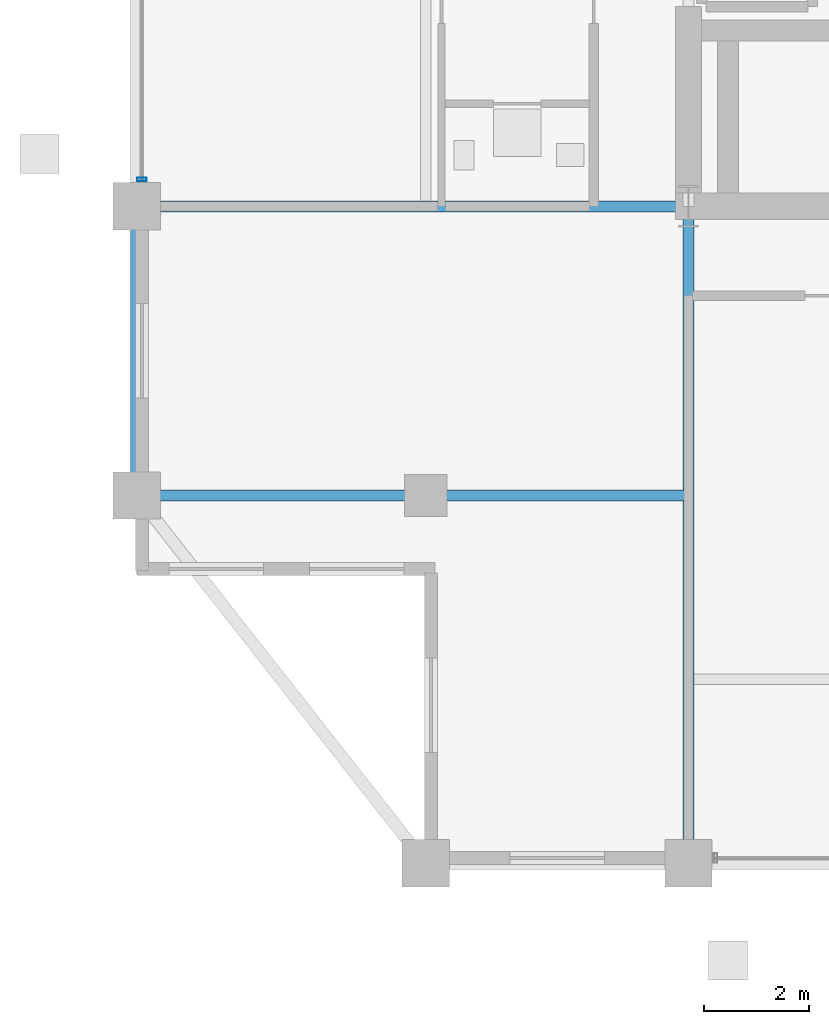
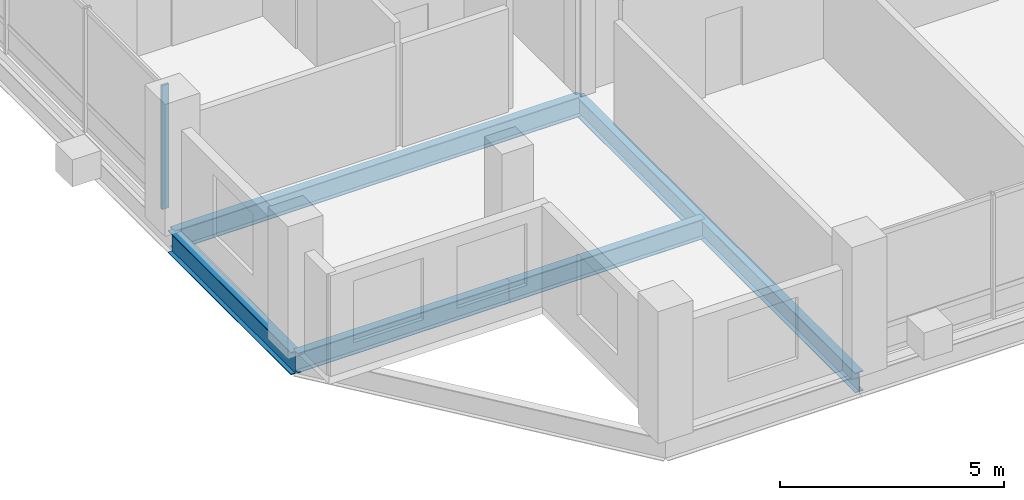
# One storey, part 3 of 21: 5 beams, 1 member, 1 element without a shape of its own.
"""IFC4 building model written with IfcOpenShell, lengths in metres."""

from ifc_helpers import new_model, si_unit, direction, frame, origin, origin_2d, place, context, subcontext, project, spatial, hollow_rectangle, i_section, extrude, material, layer, layer_set, material_profile, profile_set, type_object, element, aggregate, save


model = new_model("IFC4")

# Units and contexts
model_context = context("Model", 3, precision=1e-05, world=origin(), true_north=direction((0.0, 1.0)))
body_context = subcontext(model_context, "Body", "Model", "MODEL_VIEW")
ifc_project = project(units=[si_unit("LENGTHUNIT", "METRE"), si_unit("AREAUNIT", "SQUARE_METRE"), si_unit("VOLUMEUNIT", "CUBIC_METRE"), si_unit("PLANEANGLEUNIT", "RADIAN"), si_unit("MASSUNIT", "GRAM", prefix="KILO")], contexts=[model_context])

# Site, building, storey
site_placement = place(None, origin())
site = spatial("IfcSite", under=ifc_project, at=site_placement, CompositionType="ELEMENT")
building_placement = place(site_placement, origin())
building = spatial("IfcBuilding", under=site, at=building_placement, Name="Barlavira Tower and Art Museum", CompositionType="ELEMENT")
storey_placement = place(building_placement, frame((0.0, 0.0, 254.699951171875)))
storey = spatial("IfcBuildingStorey", under=building, at=storey_placement, Name="L66", CompositionType="ELEMENT", Elevation=254.699951171875)

# Curtain wall, member
ifc_material_1 = material(Name="Low-iron coastal laminated glass", Category="glass")
ifc_layer = layer(ifc_material_1, 0.2099609375, Name="Low-iron coastal laminated glass")
ifc_layer_set = layer_set([ifc_layer], Name="Low-iron coastal laminated glass")
curtain_wall_type = type_object("IfcCurtainWallType", Name="Pale-Metal Unitised Curtain Wall Zone 4", PredefinedType="NOTDEFINED", material=ifc_layer_set)
curtain_wall_placement = place(storey_placement, origin())
curtain_wall = element("IfcCurtainWall", 1, at=curtain_wall_placement, inside=storey, type_object=curtain_wall_type, Name="L66 Curtain Wall CW4-L66-W-B3", PredefinedType="NOTDEFINED")
ifc_material_2 = material(Name="Pale anodised aluminium", Category="aluminium")
ifc_material_profile_1 = material_profile(ifc_material_2, hollow_rectangle(XDim=0.06494140625, YDim=0.179931640625, WallThickness=0.00390625, at=origin_2d()), Name="ALU-MULL 65x180x4")
ifc_profile_set_1 = profile_set([ifc_material_profile_1], Name="Pale anodised aluminium")
member_type = type_object("IfcMemberType", Name="Curtain Wall Pale-Metal Mullion 65x180", PredefinedType="MULLION", material=ifc_profile_set_1)
member_placement = place(storey_placement, frame((-16.89990234375, -6.985107421875, 0.0), z_axis=(0.0, 0.0, 1.0), x_axis=(0.0, -1.0, 0.0)))
member = element("IfcMember", 2, at=member_placement, type_object=member_type, Name="CW4-L66-W-B3 Mullion 4", PredefinedType="MULLION", context=body_context, shape_type="SweptSolid", body=[
    extrude(hollow_rectangle(XDim=0.06494140625, YDim=0.179931640625, WallThickness=0.00390625, at=origin_2d()), origin(), (0.0, 0.0, 1.0), 3.380126953125),
])
aggregate(curtain_wall, [member])

# Beams
ifc_material_3 = material(Name="Steel S355", Category="steel")
ifc_material_profile_2 = material_profile(ifc_material_3, i_section(OverallWidth=0.22998046875, OverallDepth=0.616943359375, WebThickness=0.01318359375, FlangeThickness=0.022216796875, at=origin_2d()), Name="W610x140.0")
ifc_profile_set_2 = profile_set([ifc_material_profile_2], Name="Steel S355")
beam_type_1 = type_object("IfcBeamType", Name="Upper Shaft Spandrel Edge Beam W610x140 Steel S355", PredefinedType="SPANDREL", material=ifc_profile_set_2)
beam_1_placement = place(storey_placement, frame((-17.0, -13.0, -0.528564453125), z_axis=(0.0, 1.0, 0.0), x_axis=(-1.0, 0.0, 0.0)))
element("IfcBeam", 3, at=beam_1_placement, inside=storey, type_object=beam_type_1, Name="L66 Spandrel 15", PredefinedType="SPANDREL", context=body_context, shape_type="SweptSolid", body=[
    extrude(i_section(OverallWidth=0.22998046875, OverallDepth=0.616943359375, WebThickness=0.01318359375, FlangeThickness=0.022216796875, at=origin_2d()), origin(), (0.0, 0.0, 1.0), 5.5),
])
ifc_material_profile_3 = material_profile(ifc_material_3, i_section(OverallWidth=0.2109375, OverallDepth=0.5390625, WebThickness=0.01171875, FlangeThickness=0.018798828125, at=origin_2d()), Name="W530x109.0")
ifc_profile_set_3 = profile_set([ifc_material_profile_3], Name="Steel S355")
beam_type_2 = type_object("IfcBeamType", Name="Zone 3-4 Primary Floor Girder W530x109 Steel S355", PredefinedType="BEAM", material=ifc_profile_set_3)
beam_2_placement = place(storey_placement, frame((-6.5, -20.0, -0.489501953125), z_axis=(0.0, 1.0, 0.0), x_axis=(-1.0, 0.0, 0.0)))
element("IfcBeam", 4, at=beam_2_placement, inside=storey, type_object=beam_type_2, Name="L66 Girder R-S1", PredefinedType="BEAM", context=body_context, shape_type="SweptSolid", body=[
    extrude(i_section(OverallWidth=0.2109375, OverallDepth=0.5390625, WebThickness=0.01171875, FlangeThickness=0.018798828125, at=origin_2d()), origin(), (0.0, 0.0, 1.0), 12.5),
])
beam_3_placement = place(storey_placement, frame((-17.0, -7.5, -0.489501953125), z_axis=(1.0, 0.0, 0.0), x_axis=(0.0, 1.0, 0.0)))
element("IfcBeam", 5, at=beam_3_placement, inside=storey, type_object=beam_type_2, Name="L66 Girder R-W1", PredefinedType="BEAM", context=body_context, shape_type="SweptSolid", body=[
    extrude(i_section(OverallWidth=0.2109375, OverallDepth=0.5390625, WebThickness=0.01171875, FlangeThickness=0.018798828125, at=origin_2d()), origin(), (0.0, 0.0, 1.0), 10.5),
])
beam_4_placement = place(storey_placement, frame((-17.0, -13.0, -0.489501953125), z_axis=(1.0, 0.0, 0.0), x_axis=(0.0, 1.0, 0.0)))
element("IfcBeam", 6, at=beam_4_placement, inside=storey, type_object=beam_type_2, Name="L66 Girder I-S1", PredefinedType="BEAM", context=body_context, shape_type="SweptSolid", body=[
    extrude(i_section(OverallWidth=0.2109375, OverallDepth=0.5390625, WebThickness=0.01171875, FlangeThickness=0.018798828125, at=origin_2d()), origin(), (0.0, 0.0, 1.0), 5.5),
])
beam_5_placement = place(storey_placement, frame((-11.5, -13.0, -0.489501953125), z_axis=(1.0, 0.0, 0.0), x_axis=(0.0, 1.0, 0.0)))
element("IfcBeam", 7, at=beam_5_placement, inside=storey, type_object=beam_type_2, Name="L66 Girder I-S2", PredefinedType="BEAM", context=body_context, shape_type="SweptSolid", body=[
    extrude(i_section(OverallWidth=0.2109375, OverallDepth=0.5390625, WebThickness=0.01171875, FlangeThickness=0.018798828125, at=origin_2d()), origin(), (0.0, 0.0, 1.0), 5.0),
])

save(model, "model.ifc")
